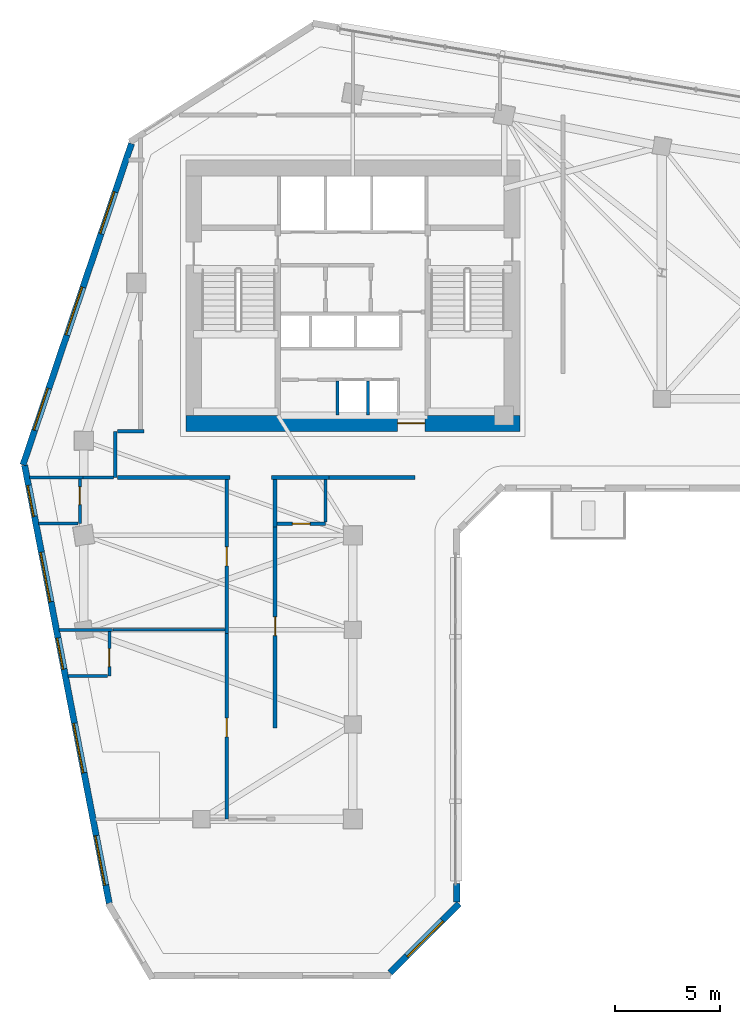
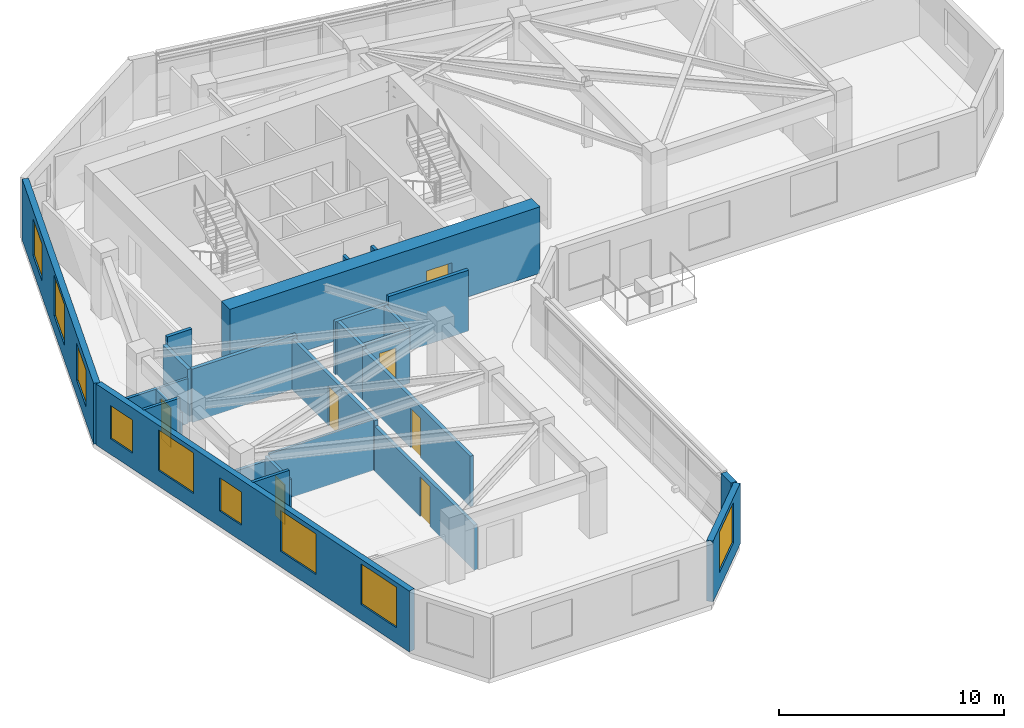
# One storey, part 5 of 12: 26 walls, 9 windows, 7 doors, 16 openings.
"""IFC4 building model written with IfcOpenShell, lengths in metres."""

from ifc_helpers import new_model, si_unit, direction, frame, frame_2d, origin, place, context, subcontext, project, spatial, rectangle, extrude, source, transform, mapped, material, layer, layer_set, type_object, element, fill, save


model = new_model("IFC4")

# Units and contexts
model_context = context("Model", 3, precision=1e-05, world=origin(), true_north=direction((0.0, 1.0)))
body_context = subcontext(model_context, "Body", "Model", "MODEL_VIEW")
ifc_project = project(units=[si_unit("LENGTHUNIT", "METRE"), si_unit("AREAUNIT", "SQUARE_METRE"), si_unit("VOLUMEUNIT", "CUBIC_METRE"), si_unit("PLANEANGLEUNIT", "RADIAN"), si_unit("MASSUNIT", "GRAM", prefix="KILO")], contexts=[model_context])

# Site, building, storey
site_placement = place(None, origin())
site = spatial("IfcSite", under=ifc_project, at=site_placement, CompositionType="ELEMENT")
building_placement = place(site_placement, origin())
building = spatial("IfcBuilding", under=site, at=building_placement, Name="Calvemar Wedge Station Tower", CompositionType="ELEMENT")
storey_placement = place(building_placement, frame((0.0, 0.0, 135.800048828125)))
storey = spatial("IfcBuildingStorey", under=building, at=storey_placement, Name="L33", CompositionType="ELEMENT", Elevation=135.800048828125)

# Wall, opening, door
ifc_material_1 = material(Name="Concrete C70", Category="concrete")
ifc_layer_1 = layer(ifc_material_1, 0.75)
ifc_layer_set_1 = layer_set([ifc_layer_1], Name="Concrete C70")
wall_type_1 = type_object("IfcWallType", Name="SW-CORE-750", PredefinedType="SHEAR", material=ifc_layer_set_1)
wall_1_placement = place(storey_placement, frame((15.85009765625, 33.824951171875, 0.0), z_axis=(0.0, 0.0, 1.0), x_axis=(1.0, 0.0, 0.0)))
wall_1 = element("IfcWall", 1, at=wall_1_placement, inside=storey, type_object=wall_type_1, Name="Storey L33 Core Shear Wall S", PredefinedType="SHEAR", context=body_context, shape_type="SweptSolid", body=[
    extrude(rectangle(XDim=15.89990234375, YDim=0.75, at=frame_2d((7.949951171875, 0.0))), origin(), (0.0, 0.0, 1.0), 3.599853515625),
])
shared_shape_1 = source(origin(), body_context, "Body", "SweptSolid", [
    extrude(rectangle(XDim=1.300048828125, YDim=2.14990234375, at=frame_2d((0.64990234375, 1.074951171875))), frame((0.0, 0.385009765625, 0.0), z_axis=(0.0, -1.0, 0.0), x_axis=(1.0, 0.0, 0.0)), (0.0, 0.0, 1.0), 0.77001953125),
])
opening_1_placement = place(wall_1_placement, frame((10.080078125, 0.0, 0.0)))
opening_1 = element("IfcOpeningElement", 2, at=opening_1_placement, cuts=wall_1, Name="Opening DD-130", PredefinedType="OPENING", context=body_context, shape_type="MappedRepresentation", body=[
    mapped(shared_shape_1, transform((0.0, 0.0, 0.0), scale=1.0)),
])
ifc_material_2 = material(Name="Double-leaf lift lobby fire door EI 60")
door_type_1 = type_object("IfcDoorType", Name="DR-DBL-1300", OperationType="DOUBLE_DOOR_SINGLE_SWING", PredefinedType="DOOR", material=ifc_material_2)
shared_shape_2 = source(origin(), body_context, "Body", "SweptSolid", [
    extrude(rectangle(XDim=1.300048828125, YDim=2.14990234375, at=frame_2d((0.64990234375, 1.074951171875))), frame((0.0, 0.02490234375, 0.0), z_axis=(0.0, -1.0, 0.0), x_axis=(1.0, 0.0, 0.0)), (0.0, 0.0, 1.0), 0.050048828125),
])
door_1_placement = place(opening_1_placement, origin())
door_1 = element("IfcDoor", 3, at=door_1_placement, inside=storey, type_object=door_type_1, Name="L33 Passenger Lift Lobby Door", OperationType="DOUBLE_DOOR_SINGLE_SWING", OverallHeight=2.14990234375, OverallWidth=1.300048828125, PredefinedType="DOOR", context=body_context, shape_type="MappedRepresentation", body=[
    mapped(shared_shape_2, transform((0.0, 0.0, 0.0), scale=1.0)),
])
fill(opening_1, door_1)

# Walls
ifc_material_3 = material(Name="Double-stud fire-rated corridor partition")
ifc_layer_2 = layer(ifc_material_3, 0.179931640625)
ifc_layer_set_2 = layer_set([ifc_layer_2], Name="Double-stud fire-rated corridor partition")
wall_type_2 = type_object("IfcWallType", Name="W-CORR-180", PredefinedType="PARTITIONING", material=ifc_layer_set_2)
wall_2_placement = place(storey_placement, frame((12.5, 31.25, 0.0), z_axis=(0.0, 0.0, 1.0), x_axis=(0.0, 1.0, 0.0)))
element("IfcWall", 4, at=wall_2_placement, inside=storey, type_object=wall_type_2, Name="Storey L33 Interior Partition WL-L33-007", PredefinedType="PARTITIONING", context=body_context, shape_type="SweptSolid", body=[
    extrude(rectangle(XDim=2.199951171875, YDim=0.179931640625, at=frame_2d((1.10009765625, 0.0))), origin(), (0.0, 0.0, 1.0), 2.885009765625),
])
wall_3_placement = place(storey_placement, frame((12.593994140625, 33.449951171875, 0.0), z_axis=(0.0, 0.0, 1.0), x_axis=(1.0, 0.0, 0.0)))
element("IfcWall", 5, at=wall_3_placement, inside=storey, type_object=wall_type_2, Name="Storey L33 Interior Partition WL-L33-008", PredefinedType="PARTITIONING", context=body_context, shape_type="SweptSolid", body=[
    extrude(rectangle(XDim=1.26611328125, YDim=0.179931640625, at=frame_2d((0.633056640625, 0.0))), origin(), (0.0, 0.0, 1.0), 3.300048828125),
])
wall_4_placement = place(storey_placement, frame((17.9599609375, 31.25, 0.0), z_axis=(0.0, 0.0, 1.0), x_axis=(-1.0, 0.0, 0.0)))
element("IfcWall", 6, at=wall_4_placement, inside=storey, type_object=wall_type_2, Name="Storey L33 Interior Partition WL-L33-009", PredefinedType="PARTITIONING", context=body_context, shape_type="SweptSolid", body=[
    extrude(rectangle(XDim=5.365966796875, YDim=0.179931640625, at=frame_2d((2.68310546875, 0.0))), origin(), (0.0, 0.0, 1.0), 2.885009765625),
])
wall_5_placement = place(storey_placement, frame((22.659912109375, 31.25, 0.0), z_axis=(0.0, 0.0, 1.0), x_axis=(-1.0, 0.0, 0.0)))
element("IfcWall", 7, at=wall_5_placement, inside=storey, type_object=wall_type_2, Name="Storey L33 Interior Partition WL-L33-010", PredefinedType="PARTITIONING", context=body_context, shape_type="SweptSolid", body=[
    extrude(rectangle(XDim=2.719970703125, YDim=0.179931640625, at=frame_2d((1.35986328125, 0.0))), origin(), (0.0, 0.0, 1.0), 2.885009765625),
])
wall_6_placement = place(storey_placement, frame((26.760009765625, 31.25, 0.0), z_axis=(0.0, 0.0, 1.0), x_axis=(-1.0, 0.0, 0.0)))
element("IfcWall", 8, at=wall_6_placement, inside=storey, type_object=wall_type_2, Name="Storey L33 Interior Partition WL-L33-011", PredefinedType="PARTITIONING", context=body_context, shape_type="SweptSolid", body=[
    extrude(rectangle(XDim=4.097900390625, YDim=0.179931640625, at=frame_2d((2.048828125, 0.0))), origin(), (0.0, 0.0, 1.0), 3.300048828125),
])

# Wall, opening, door
wall_7_placement = place(storey_placement, frame((17.800048828125, 23.840087890625, 0.0), z_axis=(0.0, 0.0, 1.0), x_axis=(0.0, 1.0, 0.0)))
wall_7 = element("IfcWall", 9, at=wall_7_placement, inside=storey, type_object=wall_type_2, Name="Storey L33 Interior Partition WL-L33-024", PredefinedType="PARTITIONING", context=body_context, shape_type="SweptSolid", body=[
    extrude(rectangle(XDim=7.31591796875, YDim=0.179931640625, at=frame_2d((3.657958984375, 0.0))), origin(), (0.0, 0.0, 1.0), 2.738037109375),
])
shared_shape_3 = source(origin(), body_context, "Body", "SweptSolid", [
    extrude(rectangle(XDim=0.89990234375, YDim=2.14990234375, at=frame_2d((0.449951171875, 1.074951171875))), frame((0.0, 0.10009765625, 0.0), z_axis=(0.0, -1.0, 0.0), x_axis=(1.0, 0.0, 0.0)), (0.0, 0.0, 1.0), 0.199951171875),
])
opening_2_placement = place(wall_7_placement, frame((3.2080078125, 0.0, 0.0)))
opening_2 = element("IfcOpeningElement", 10, at=opening_2_placement, cuts=wall_7, Name="Opening FD-60", PredefinedType="OPENING", context=body_context, shape_type="MappedRepresentation", body=[
    mapped(shared_shape_3, transform((0.0, 0.0, 0.0), scale=1.0)),
])
ifc_material_4 = material(Name="Fire-rated acoustic timber-core entrance door EI 60", Category="wood")
door_type_2 = type_object("IfcDoorType", Name="DR-FD60-900", OperationType="NOTDEFINED", PredefinedType="DOOR", material=ifc_material_4)
shared_shape_4 = source(origin(), body_context, "Body", "SweptSolid", [
    extrude(rectangle(XDim=0.89990234375, YDim=2.14990234375, at=frame_2d((0.449951171875, 1.074951171875))), frame((0.0, 0.02490234375, 0.0), z_axis=(0.0, -1.0, 0.0), x_axis=(1.0, 0.0, 0.0)), (0.0, 0.0, 1.0), 0.050048828125),
])
door_2_placement = place(opening_2_placement, origin())
door_2 = element("IfcDoor", 11, at=door_2_placement, inside=storey, type_object=door_type_2, Name="L33 Hotel Suite Door", OperationType="SINGLE_SWING_RIGHT", OverallHeight=2.14990234375, OverallWidth=0.89990234375, PredefinedType="DOOR", context=body_context, shape_type="MappedRepresentation", body=[
    mapped(shared_shape_4, transform((0.0, 0.0, 0.0), scale=1.0)),
])
fill(opening_2, door_2)

wall_8_placement = place(storey_placement, frame((17.800048828125, 15.0, 0.0), z_axis=(0.0, 0.0, 1.0), x_axis=(0.0, 1.0, 0.0)))
wall_8 = element("IfcWall", 12, at=wall_8_placement, inside=storey, type_object=wall_type_2, Name="Storey L33 Interior Partition WL-L33-025", PredefinedType="PARTITIONING", context=body_context, shape_type="SweptSolid", body=[
    extrude(rectangle(XDim=8.837890625, YDim=0.179931640625, at=frame_2d((4.4189453125, 0.0))), origin(), (0.0, 0.0, 1.0), 2.44189453125),
])
opening_3_placement = place(wall_8_placement, frame((3.908447265625, 0.0, 0.0)))
opening_3 = element("IfcOpeningElement", 13, at=opening_3_placement, cuts=wall_8, Name="Opening FD-60", PredefinedType="OPENING", context=body_context, shape_type="MappedRepresentation", body=[
    mapped(shared_shape_3, transform((0.0, 0.0, 0.0), scale=1.0)),
])
door_3_placement = place(opening_3_placement, origin())
door_3 = element("IfcDoor", 14, at=door_3_placement, inside=storey, type_object=door_type_2, Name="L33 Hotel Guest Room Door", OperationType="SINGLE_SWING_RIGHT", OverallHeight=2.14990234375, OverallWidth=0.89990234375, PredefinedType="DOOR", context=body_context, shape_type="MappedRepresentation", body=[
    mapped(shared_shape_4, transform((0.0, 0.0, 0.0), scale=1.0)),
])
fill(opening_3, door_3)

# Wall
wall_9_placement = place(storey_placement, frame((20.10009765625, 31.156005859375, 0.0), z_axis=(0.0, 0.0, 1.0), x_axis=(0.0, -1.0, 0.0)))
element("IfcWall", 15, at=wall_9_placement, inside=storey, type_object=wall_type_2, Name="Storey L33 Interior Partition WL-L33-026", PredefinedType="PARTITIONING", context=body_context, shape_type="SweptSolid", body=[
    extrude(rectangle(XDim=2.26611328125, YDim=0.179931640625, at=frame_2d((1.133056640625, 0.0))), origin(), (0.0, 0.0, 1.0), 2.885009765625),
])

# Wall, opening, door
wall_10_placement = place(storey_placement, frame((20.10009765625, 28.887939453125, 0.0), z_axis=(0.0, 0.0, 1.0), x_axis=(0.0, -1.0, 0.0)))
wall_10 = element("IfcWall", 16, at=wall_10_placement, inside=storey, type_object=wall_type_2, Name="Storey L33 Interior Partition WL-L33-027", PredefinedType="PARTITIONING", context=body_context, shape_type="SweptSolid", body=[
    extrude(rectangle(XDim=9.5478515625, YDim=0.179931640625, at=frame_2d((4.77392578125, 0.0))), origin(), (0.0, 0.0, 1.0), 2.738037109375),
])
opening_4_placement = place(wall_10_placement, frame((4.263671875, 0.0, 0.0)))
opening_4 = element("IfcOpeningElement", 17, at=opening_4_placement, cuts=wall_10, Name="Opening FD-60", PredefinedType="OPENING", context=body_context, shape_type="MappedRepresentation", body=[
    mapped(shared_shape_3, transform((0.0, 0.0, 0.0), scale=1.0)),
])
door_4_placement = place(opening_4_placement, origin())
door_4 = element("IfcDoor", 18, at=door_4_placement, inside=storey, type_object=door_type_2, Name="L33 Hotel Suite Door", OperationType="SINGLE_SWING_RIGHT", OverallHeight=2.14990234375, OverallWidth=0.89990234375, PredefinedType="DOOR", context=body_context, shape_type="MappedRepresentation", body=[
    mapped(shared_shape_4, transform((0.0, 0.0, 0.0), scale=1.0)),
])
fill(opening_4, door_4)

# Wall, opening, window
ifc_material_5 = material(Name="Precast concrete C45", Category="concrete")
ifc_layer_3 = layer(ifc_material_5, 0.300048828125)
ifc_layer_set_3 = layer_set([ifc_layer_3], Name="Precast concrete C45")
wall_type_3 = type_object("IfcWallType", Name="W-EXT-GFRC-300", PredefinedType="SOLIDWALL", material=ifc_layer_set_3)
wall_11_placement = place(storey_placement, frame((25.572021484375, 7.68798828125, 0.0), z_axis=(0.0, 0.0, 1.0), x_axis=(0.70708046583, 0.707133095564, 0.0)))
wall_11 = element("IfcWall", 19, at=wall_11_placement, inside=storey, type_object=wall_type_3, Name="Storey L33 Bronze GFRC Exterior Wall 3", PredefinedType="SOLIDWALL", context=body_context, shape_type="SweptSolid", body=[
    extrude(rectangle(XDim=4.638916015625, YDim=0.300048828125, at=frame_2d((2.3193359375, 0.0))), origin(), (0.0, 0.0, 1.0), 3.300048828125),
])
shared_shape_5 = source(origin(), body_context, "Body", "SweptSolid", [
    extrude(rectangle(XDim=2.39990234375, YDim=2.199951171875, at=frame_2d((1.199951171875, 1.10009765625))), frame((0.0, 0.16015625, 0.0), z_axis=(0.0, -1.0, 0.0), x_axis=(1.0, 0.0, 0.0)), (0.0, 0.0, 1.0), 0.320068359375),
])
opening_5_placement = place(wall_11_placement, frame((1.118896484375, 0.0, 0.85009765625)))
opening_5 = element("IfcOpeningElement", 20, at=opening_5_placement, cuts=wall_11, Name="Opening W1", PredefinedType="OPENING", context=body_context, shape_type="MappedRepresentation", body=[
    mapped(shared_shape_5, transform((0.0, 0.0, 0.0), scale=1.0)),
])
ifc_material_6 = material(Name="Low-E laminated insulated glass", Category="glass")
window_type_1 = type_object("IfcWindowType", Name="WIN-EXT-1", PartitioningType="SINGLE_PANEL", PredefinedType="WINDOW", material=ifc_material_6)
shared_shape_6 = source(origin(), body_context, "Body", "SweptSolid", [
    extrude(rectangle(XDim=2.39990234375, YDim=2.199951171875, at=frame_2d((1.199951171875, 1.10009765625))), frame((0.0, -0.014892578125, 0.0), z_axis=(0.0, -1.0, 0.0), x_axis=(1.0, 0.0, 0.0)), (0.0, 0.0, 1.0), 0.06005859375),
])
window_1_placement = place(opening_5_placement, origin())
window_1 = element("IfcWindow", 21, at=window_1_placement, inside=storey, type_object=window_type_1, Name="Storey L33 Recessed Window 3.1", OverallHeight=2.199951171875, OverallWidth=2.39990234375, PartitioningType="SINGLE_PANEL", PredefinedType="WINDOW", context=body_context, shape_type="MappedRepresentation", body=[
    mapped(shared_shape_6, transform((0.0, 0.0, 0.0), scale=1.0)),
])
fill(opening_5, window_1)

# Wall
wall_12_placement = place(storey_placement, frame((28.74609375, 11.057373046875, 0.0), z_axis=(0.0, 0.0, 1.0), x_axis=(0.0, 1.0, 0.0)))
element("IfcWall", 22, at=wall_12_placement, inside=storey, type_object=wall_type_3, Name="Storey L33 Bronze GFRC Corner Pier 4A", PredefinedType="SOLIDWALL", context=body_context, shape_type="SweptSolid", body=[
    extrude(rectangle(XDim=0.88232421875, YDim=0.300048828125, at=frame_2d((0.441162109375, 0.0))), origin(), (0.0, 0.0, 1.0), 3.300048828125),
])

# Wall, openings, windows
wall_13_placement = place(storey_placement, frame((13.2685546875, 47.1337890625, 0.0), z_axis=(0.0, 0.0, 1.0), x_axis=(-0.319929596295, -0.947441319246, 0.0)))
wall_13 = element("IfcWall", 23, at=wall_13_placement, inside=storey, type_object=wall_type_3, Name="Storey L33 Bronze GFRC Exterior Wall 12", PredefinedType="SOLIDWALL", context=body_context, shape_type="SweptSolid", body=[
    extrude(rectangle(XDim=16.13427734375, YDim=0.300048828125, at=frame_2d((8.067138671875, 0.0))), origin(), (0.0, 0.0, 1.0), 3.300048828125),
])
shared_shape_7 = source(origin(), body_context, "Body", "SweptSolid", [
    extrude(rectangle(XDim=2.10009765625, YDim=2.0, at=frame_2d((1.050048828125, 1.0))), frame((0.0, 0.16015625, 0.0), z_axis=(0.0, -1.0, 0.0), x_axis=(1.0, 0.0, 0.0)), (0.0, 0.0, 1.0), 0.320068359375),
])
opening_6_placement = place(wall_13_placement, frame((2.426025390625, 0.0, 0.85009765625)))
opening_6 = element("IfcOpeningElement", 24, at=opening_6_placement, cuts=wall_13, Name="Opening W4", PredefinedType="OPENING", context=body_context, shape_type="MappedRepresentation", body=[
    mapped(shared_shape_7, transform((0.0, 0.0, 0.0), scale=1.0)),
])
opening_7_placement = place(wall_13_placement, frame((7.2109375, 0.0, 0.85009765625)))
opening_7 = element("IfcOpeningElement", 25, at=opening_7_placement, cuts=wall_13, Name="Opening W1", PredefinedType="OPENING", context=body_context, shape_type="MappedRepresentation", body=[
    mapped(shared_shape_5, transform((0.0, 0.0, 0.0), scale=1.0)),
])
opening_8_placement = place(wall_13_placement, frame((12.297119140625, 0.0, 0.85009765625)))
opening_8 = element("IfcOpeningElement", 26, at=opening_8_placement, cuts=wall_13, Name="Opening W4", PredefinedType="OPENING", context=body_context, shape_type="MappedRepresentation", body=[
    mapped(shared_shape_7, transform((0.0, 0.0, 0.0), scale=1.0)),
])
window_type_2 = type_object("IfcWindowType", Name="WIN-EXT-4", PartitioningType="SINGLE_PANEL", PredefinedType="WINDOW", material=ifc_material_6)
shared_shape_8 = source(origin(), body_context, "Body", "SweptSolid", [
    extrude(rectangle(XDim=2.10009765625, YDim=2.0, at=frame_2d((1.050048828125, 1.0))), frame((0.0, -0.014892578125, 0.0), z_axis=(0.0, -1.0, 0.0), x_axis=(1.0, 0.0, 0.0)), (0.0, 0.0, 1.0), 0.06005859375),
])
window_2_placement = place(opening_6_placement, origin())
window_2 = element("IfcWindow", 27, at=window_2_placement, inside=storey, type_object=window_type_2, Name="Storey L33 Recessed Window 12.1", OverallHeight=2.0, OverallWidth=2.10009765625, PartitioningType="SINGLE_PANEL", PredefinedType="WINDOW", context=body_context, shape_type="MappedRepresentation", body=[
    mapped(shared_shape_8, transform((0.0, 0.0, 0.0), scale=1.0)),
])
fill(opening_6, window_2)
window_3_placement = place(opening_8_placement, origin())
window_3 = element("IfcWindow", 28, at=window_3_placement, inside=storey, type_object=window_type_2, Name="Storey L33 Recessed Window 12.3", OverallHeight=2.0, OverallWidth=2.10009765625, PartitioningType="SINGLE_PANEL", PredefinedType="WINDOW", context=body_context, shape_type="MappedRepresentation", body=[
    mapped(shared_shape_8, transform((0.0, 0.0, 0.0), scale=1.0)),
])
fill(opening_8, window_3)
window_4_placement = place(opening_7_placement, origin())
window_4 = element("IfcWindow", 29, at=window_4_placement, inside=storey, type_object=window_type_1, Name="Storey L33 Recessed Window 12.2", OverallHeight=2.199951171875, OverallWidth=2.39990234375, PartitioningType="SINGLE_PANEL", PredefinedType="WINDOW", context=body_context, shape_type="MappedRepresentation", body=[
    mapped(shared_shape_6, transform((0.0, 0.0, 0.0), scale=1.0)),
])
fill(opening_7, window_4)

wall_14_placement = place(storey_placement, frame((8.184814453125, 31.833740234375, 0.0), z_axis=(0.0, 0.0, 1.0), x_axis=(0.189707113148, -0.981840725994, 0.0)))
wall_14 = element("IfcWall", 30, at=wall_14_placement, inside=storey, type_object=wall_type_3, Name="Storey L33 Bronze GFRC Exterior Wall 13", PredefinedType="SOLIDWALL", context=body_context, shape_type="SweptSolid", body=[
    extrude(rectangle(XDim=21.221435546875, YDim=0.300048828125, at=frame_2d((10.61083984375, 0.0))), origin(), (0.0, 0.0, 1.0), 3.300048828125),
])
shared_shape_9 = source(origin(), body_context, "Body", "SweptSolid", [
    extrude(rectangle(XDim=1.5, YDim=1.800048828125, at=frame_2d((0.75, 0.89990234375))), frame((0.0, 0.16015625, 0.0), z_axis=(0.0, -1.0, 0.0), x_axis=(1.0, 0.0, 0.0)), (0.0, 0.0, 1.0), 0.320068359375),
])
opening_9_placement = place(wall_14_placement, frame((0.97705078125, 0.0, 0.85009765625)))
opening_9 = element("IfcOpeningElement", 31, at=opening_9_placement, cuts=wall_14, Name="Opening W3", PredefinedType="OPENING", context=body_context, shape_type="MappedRepresentation", body=[
    mapped(shared_shape_9, transform((0.0, 0.0, 0.0), scale=1.0)),
])
opening_10_placement = place(wall_14_placement, frame((4.218994140625, 0.0, 0.85009765625)))
opening_10 = element("IfcOpeningElement", 32, at=opening_10_placement, cuts=wall_14, Name="Opening W1", PredefinedType="OPENING", context=body_context, shape_type="MappedRepresentation", body=[
    mapped(shared_shape_5, transform((0.0, 0.0, 0.0), scale=1.0)),
])
opening_11_placement = place(wall_14_placement, frame((8.37109375, 0.0, 0.85009765625)))
opening_11 = element("IfcOpeningElement", 33, at=opening_11_placement, cuts=wall_14, Name="Opening W3", PredefinedType="OPENING", context=body_context, shape_type="MappedRepresentation", body=[
    mapped(shared_shape_9, transform((0.0, 0.0, 0.0), scale=1.0)),
])
opening_12_placement = place(wall_14_placement, frame((12.50390625, 0.0, 0.85009765625)))
opening_12 = element("IfcOpeningElement", 34, at=opening_12_placement, cuts=wall_14, Name="Opening W1", PredefinedType="OPENING", context=body_context, shape_type="MappedRepresentation", body=[
    mapped(shared_shape_5, transform((0.0, 0.0, 0.0), scale=1.0)),
])
opening_13_placement = place(wall_14_placement, frame((17.944091796875, 0.0, 0.85009765625)))
opening_13 = element("IfcOpeningElement", 35, at=opening_13_placement, cuts=wall_14, Name="Opening W1", PredefinedType="OPENING", context=body_context, shape_type="MappedRepresentation", body=[
    mapped(shared_shape_5, transform((0.0, 0.0, 0.0), scale=1.0)),
])
window_5_placement = place(opening_10_placement, origin())
window_5 = element("IfcWindow", 36, at=window_5_placement, inside=storey, type_object=window_type_1, Name="Storey L33 Recessed Window 13.2", OverallHeight=2.199951171875, OverallWidth=2.39990234375, PartitioningType="SINGLE_PANEL", PredefinedType="WINDOW", context=body_context, shape_type="MappedRepresentation", body=[
    mapped(shared_shape_6, transform((0.0, 0.0, 0.0), scale=1.0)),
])
fill(opening_10, window_5)
window_6_placement = place(opening_12_placement, origin())
window_6 = element("IfcWindow", 37, at=window_6_placement, inside=storey, type_object=window_type_1, Name="Storey L33 Recessed Window 13.4", OverallHeight=2.199951171875, OverallWidth=2.39990234375, PartitioningType="SINGLE_PANEL", PredefinedType="WINDOW", context=body_context, shape_type="MappedRepresentation", body=[
    mapped(shared_shape_6, transform((0.0, 0.0, 0.0), scale=1.0)),
])
fill(opening_12, window_6)
window_7_placement = place(opening_13_placement, origin())
window_7 = element("IfcWindow", 38, at=window_7_placement, inside=storey, type_object=window_type_1, Name="Storey L33 Recessed Window 13.5", OverallHeight=2.199951171875, OverallWidth=2.39990234375, PartitioningType="SINGLE_PANEL", PredefinedType="WINDOW", context=body_context, shape_type="MappedRepresentation", body=[
    mapped(shared_shape_6, transform((0.0, 0.0, 0.0), scale=1.0)),
])
fill(opening_13, window_7)
window_type_3 = type_object("IfcWindowType", Name="WIN-EXT-3", PartitioningType="SINGLE_PANEL", PredefinedType="WINDOW", material=ifc_material_6)
shared_shape_10 = source(origin(), body_context, "Body", "SweptSolid", [
    extrude(rectangle(XDim=1.5, YDim=1.800048828125, at=frame_2d((0.75, 0.89990234375))), frame((0.0, -0.014892578125, 0.0), z_axis=(0.0, -1.0, 0.0), x_axis=(1.0, 0.0, 0.0)), (0.0, 0.0, 1.0), 0.06005859375),
])
window_8_placement = place(opening_9_placement, origin())
window_8 = element("IfcWindow", 39, at=window_8_placement, inside=storey, type_object=window_type_3, Name="Storey L33 Recessed Window 13.1", OverallHeight=1.800048828125, OverallWidth=1.5, PartitioningType="SINGLE_PANEL", PredefinedType="WINDOW", context=body_context, shape_type="MappedRepresentation", body=[
    mapped(shared_shape_10, transform((0.0, 0.0, 0.0), scale=1.0)),
])
fill(opening_9, window_8)
window_9_placement = place(opening_11_placement, origin())
window_9 = element("IfcWindow", 40, at=window_9_placement, inside=storey, type_object=window_type_3, Name="Storey L33 Recessed Window 13.3", OverallHeight=1.800048828125, OverallWidth=1.5, PartitioningType="SINGLE_PANEL", PredefinedType="WINDOW", context=body_context, shape_type="MappedRepresentation", body=[
    mapped(shared_shape_10, transform((0.0, 0.0, 0.0), scale=1.0)),
])
fill(opening_11, window_9)

# Walls
ifc_material_7 = material(Name="Reinforced concrete blockwork lift shaft wall", Category="masonry")
ifc_layer_4 = layer(ifc_material_7, 0.139892578125)
ifc_layer_set_4 = layer_set([ifc_layer_4], Name="Reinforced concrete blockwork lift shaft wall")
wall_type_4 = type_object("IfcWallType", Name="W-LIFT-160", PredefinedType="SOLIDWALL", material=ifc_layer_set_4)
for number, where, z_axis, x_axis, name in (
    (41, (23.070068359375, 34.219970703125, 0.0), (0.0, 0.0, 1.0), (0.0, 1.0, 0.0), "Storey L33 South Passenger Lift Shaft Wall W"),
    (42, (24.514892578125, 34.219970703125, 0.0), (0.0, 0.0, 1.0), (0.0, 1.0, 0.0), "Storey L33 South Passenger Lift Shaft Wall D1"),
):
    element("IfcWall", number, at=place(storey_placement, frame(where, z_axis=z_axis, x_axis=x_axis)), inside=storey, type_object=wall_type_4, Name=name, PredefinedType="SOLIDWALL", context=body_context, shape_type="SweptSolid", body=[
        extrude(rectangle(XDim=1.6201171875, YDim=0.139892578125, at=frame_2d((0.81005859375, 0.0))), origin(), (0.0, 0.0, 1.0), 2.592041015625),
    ])
ifc_material_8 = material(Name="Insulated acoustic gypsum stud partition")
ifc_layer_5 = layer(ifc_material_8, 0.125)
ifc_layer_set_5 = layer_set([ifc_layer_5], Name="Insulated acoustic gypsum stud partition")
wall_type_5 = type_object("IfcWallType", Name="W-PART-125", PredefinedType="PARTITIONING", material=ifc_layer_set_5)
wall_15_placement = place(storey_placement, frame((12.406005859375, 31.25, 0.0), z_axis=(0.0, 0.0, 1.0), x_axis=(-1.0, 0.0, 0.0)))
element("IfcWall", 43, at=wall_15_placement, inside=storey, type_object=wall_type_5, Name="Storey L33 Interior Partition WL-L33-019", PredefinedType="PARTITIONING", context=body_context, shape_type="SweptSolid", body=[
    extrude(rectangle(XDim=1.43310546875, YDim=0.125, at=frame_2d((0.716552734375, 0.0))), origin(), (0.0, 0.0, 1.0), 2.44189453125),
])
wall_16_placement = place(storey_placement, frame((17.7060546875, 24.0, 0.0), z_axis=(0.0, 0.0, 1.0), x_axis=(-1.0, 0.0, 0.0)))
element("IfcWall", 44, at=wall_16_placement, inside=storey, type_object=wall_type_5, Name="Storey L33 Interior Partition WL-L33-032", PredefinedType="PARTITIONING", context=body_context, shape_type="SweptSolid", body=[
    extrude(rectangle(XDim=5.328369140625, YDim=0.125, at=frame_2d((2.6640625, 0.0))), origin(), (0.0, 0.0, 1.0), 2.7529296875),
])
ifc_material_9 = material(Name="Moisture-resistant acoustic bathroom partition")
ifc_layer_6 = layer(ifc_material_9, 0.14990234375)
ifc_layer_set_6 = layer_set([ifc_layer_6], Name="Moisture-resistant acoustic bathroom partition")
wall_type_6 = type_object("IfcWallType", Name="W-WET-150", PredefinedType="PARTITIONING", material=ifc_layer_set_6)
wall_17_placement = place(storey_placement, frame((10.970947265625, 31.25, 0.0), z_axis=(0.0, 0.0, 1.0), x_axis=(-1.0, 0.0, 0.0)))
element("IfcWall", 45, at=wall_17_placement, inside=storey, type_object=wall_type_6, Name="Storey L33 Interior Partition WL-L33-018", PredefinedType="PARTITIONING", context=body_context, shape_type="SweptSolid", body=[
    extrude(rectangle(XDim=2.55615234375, YDim=0.14990234375, at=frame_2d((1.278076171875, 0.0))), origin(), (0.0, 0.0, 1.0), 2.44189453125),
])

# Wall, opening, door
wall_18_placement = place(storey_placement, frame((10.810791015625, 31.1708984375, 0.0), z_axis=(0.0, 0.0, 1.0), x_axis=(0.0, -1.0, 0.0)))
wall_18 = element("IfcWall", 46, at=wall_18_placement, inside=storey, type_object=wall_type_6, Name="Storey L33 Interior Partition WL-L33-029", PredefinedType="PARTITIONING", context=body_context, shape_type="SweptSolid", body=[
    extrude(rectangle(XDim=2.100830078125, YDim=0.14990234375, at=frame_2d((1.05029296875, 0.0))), origin(), (0.0, 0.0, 1.0), 2.44189453125),
])
shared_shape_11 = source(origin(), body_context, "Body", "SweptSolid", [
    extrude(rectangle(XDim=0.85009765625, YDim=2.14990234375, at=frame_2d((0.425048828125, 1.074951171875))), frame((0.0, 0.0849609375, 0.0), z_axis=(0.0, -1.0, 0.0), x_axis=(1.0, 0.0, 0.0)), (0.0, 0.0, 1.0), 0.169921875),
])
opening_14_placement = place(wall_18_placement, frame((0.366455078125, 0.0, 0.0)))
opening_14 = element("IfcOpeningElement", 47, at=opening_14_placement, cuts=wall_18, Name="Opening D-02", PredefinedType="OPENING", context=body_context, shape_type="MappedRepresentation", body=[
    mapped(shared_shape_11, transform((0.0, 0.0, 0.0), scale=1.0)),
])
ifc_material_10 = material(Name="Moisture-sealed bathroom hardwood swing door", Category="wood")
door_type_3 = type_object("IfcDoorType", Name="DR-WET-850", OperationType="NOTDEFINED", PredefinedType="DOOR", material=ifc_material_10)
shared_shape_12 = source(origin(), body_context, "Body", "SweptSolid", [
    extrude(rectangle(XDim=0.85009765625, YDim=2.14990234375, at=frame_2d((0.425048828125, 1.074951171875))), frame((0.0, 0.02490234375, 0.0), z_axis=(0.0, -1.0, 0.0), x_axis=(1.0, 0.0, 0.0)), (0.0, 0.0, 1.0), 0.050048828125),
])
door_5_placement = place(opening_14_placement, origin())
door_5 = element("IfcDoor", 48, at=door_5_placement, inside=storey, type_object=door_type_3, Name="L33 En-Suite Bathroom Door", OperationType="SINGLE_SWING_LEFT", OverallHeight=2.14990234375, OverallWidth=0.85009765625, PredefinedType="DOOR", context=body_context, shape_type="MappedRepresentation", body=[
    mapped(shared_shape_12, transform((0.0, 0.0, 0.0), scale=1.0)),
])
fill(opening_14, door_5)

# Walls
wall_19_placement = place(storey_placement, frame((10.73193359375, 29.070068359375, 0.0), z_axis=(0.0, 0.0, 1.0), x_axis=(-1.0, 0.0, 0.0)))
element("IfcWall", 49, at=wall_19_placement, inside=storey, type_object=wall_type_6, Name="Storey L33 Interior Partition WL-L33-030", PredefinedType="PARTITIONING", context=body_context, shape_type="SweptSolid", body=[
    extrude(rectangle(XDim=1.89599609375, YDim=0.14990234375, at=frame_2d((0.947998046875, 0.0))), origin(), (0.0, 0.0, 1.0), 3.300048828125),
])
wall_20_placement = place(storey_placement, frame((12.37548828125, 24.0, 0.0), z_axis=(0.0, 0.0, 1.0), x_axis=(-1.0, 0.0, 0.0)))
element("IfcWall", 50, at=wall_20_placement, inside=storey, type_object=wall_type_6, Name="Storey L33 Interior Partition WL-L33-031", PredefinedType="PARTITIONING", context=body_context, shape_type="SweptSolid", body=[
    extrude(rectangle(XDim=2.559814453125, YDim=0.14990234375, at=frame_2d((1.27978515625, 0.0))), origin(), (0.0, 0.0, 1.0), 2.44189453125),
])

# Wall, opening, door
wall_21_placement = place(storey_placement, frame((12.215576171875, 23.9208984375, 0.0), z_axis=(0.0, 0.0, 1.0), x_axis=(0.0, -1.0, 0.0)))
wall_21 = element("IfcWall", 51, at=wall_21_placement, inside=storey, type_object=wall_type_6, Name="Storey L33 Interior Partition WL-L33-033", PredefinedType="PARTITIONING", context=body_context, shape_type="SweptSolid", body=[
    extrude(rectangle(XDim=2.120849609375, YDim=0.14990234375, at=frame_2d((1.060546875, 0.0))), origin(), (0.0, 0.0, 1.0), 2.738037109375),
])
opening_15_placement = place(wall_21_placement, frame((0.813232421875, 0.0, 0.0)))
opening_15 = element("IfcOpeningElement", 52, at=opening_15_placement, cuts=wall_21, Name="Opening D-02", PredefinedType="OPENING", context=body_context, shape_type="MappedRepresentation", body=[
    mapped(shared_shape_11, transform((0.0, 0.0, 0.0), scale=1.0)),
])
door_6_placement = place(opening_15_placement, origin())
door_6 = element("IfcDoor", 53, at=door_6_placement, inside=storey, type_object=door_type_3, Name="L33 En-Suite Bathroom Door", OperationType="SINGLE_SWING_LEFT", OverallHeight=2.14990234375, OverallWidth=0.85009765625, PredefinedType="DOOR", context=body_context, shape_type="MappedRepresentation", body=[
    mapped(shared_shape_12, transform((0.0, 0.0, 0.0), scale=1.0)),
])
fill(opening_15, door_6)

# Wall
wall_22_placement = place(storey_placement, frame((12.13671875, 21.800048828125, 0.0), z_axis=(0.0, 0.0, 1.0), x_axis=(-1.0, 0.0, 0.0)))
element("IfcWall", 54, at=wall_22_placement, inside=storey, type_object=wall_type_6, Name="Storey L33 Interior Partition WL-L33-034", PredefinedType="PARTITIONING", context=body_context, shape_type="SweptSolid", body=[
    extrude(rectangle(XDim=1.896240234375, YDim=0.14990234375, at=frame_2d((0.9482421875, 0.0))), origin(), (0.0, 0.0, 1.0), 3.300048828125),
])

# Wall, opening, door
wall_23_placement = place(storey_placement, frame((22.5, 29.050048828125, 0.0), z_axis=(0.0, 0.0, 1.0), x_axis=(-1.0, 0.0, 0.0)))
wall_23 = element("IfcWall", 55, at=wall_23_placement, inside=storey, type_object=wall_type_6, Name="Storey L33 Interior Partition WL-L33-036", PredefinedType="PARTITIONING", context=body_context, shape_type="SweptSolid", body=[
    extrude(rectangle(XDim=2.305908203125, YDim=0.14990234375, at=frame_2d((1.15283203125, 0.0))), origin(), (0.0, 0.0, 1.0), 2.885009765625),
])
opening_16_placement = place(wall_23_placement, frame((0.72802734375, 0.0, 0.0)))
opening_16 = element("IfcOpeningElement", 56, at=opening_16_placement, cuts=wall_23, Name="Opening D-02", PredefinedType="OPENING", context=body_context, shape_type="MappedRepresentation", body=[
    mapped(shared_shape_11, transform((0.0, 0.0, 0.0), scale=1.0)),
])
door_7_placement = place(opening_16_placement, origin())
door_7 = element("IfcDoor", 57, at=door_7_placement, inside=storey, type_object=door_type_3, Name="L33 En-Suite Bathroom Door", OperationType="SINGLE_SWING_LEFT", OverallHeight=2.14990234375, OverallWidth=0.85009765625, PredefinedType="DOOR", context=body_context, shape_type="MappedRepresentation", body=[
    mapped(shared_shape_12, transform((0.0, 0.0, 0.0), scale=1.0)),
])
fill(opening_16, door_7)

# Wall
wall_24_placement = place(storey_placement, frame((22.5, 31.156005859375, 0.0), z_axis=(0.0, 0.0, 1.0), x_axis=(0.0, -1.0, 0.0)))
element("IfcWall", 58, at=wall_24_placement, inside=storey, type_object=wall_type_6, Name="Storey L33 Interior Partition WL-L33-037", PredefinedType="PARTITIONING", context=body_context, shape_type="SweptSolid", body=[
    extrude(rectangle(XDim=2.027099609375, YDim=0.14990234375, at=frame_2d((1.013671875, 0.0))), origin(), (0.0, 0.0, 1.0), 2.885009765625),
])

save(model, "model.ifc")
